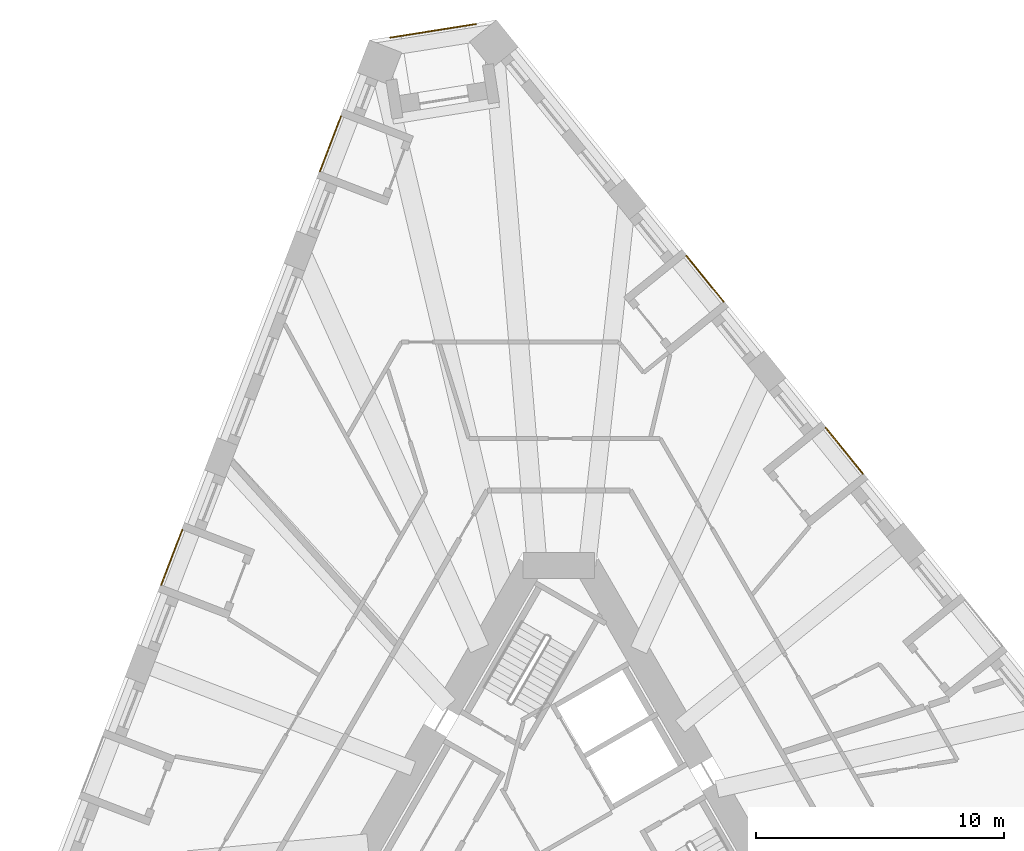
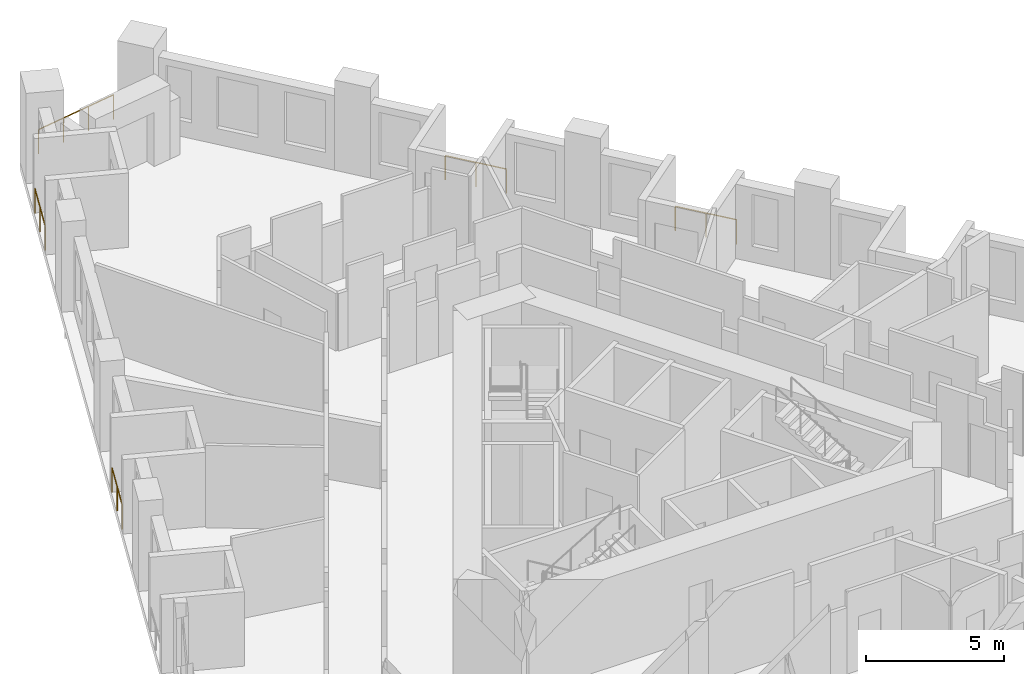
# One storey, part 14 of 14: 5 railings.
"""IFC4 building model written with IfcOpenShell, lengths in metres."""

import ifcopenshell
import ifcopenshell.guid

model = None  # the IFC model being written
_history = None  # IfcOwnerHistory: only IFC2X3 demands one
_inside = {}  # id of a spatial element -> (the spatial element, [elements in it])
_under = {}  # id of a project, library or spatial element -> (it, [spatial elements below it])
_declared = {}  # id of a project -> (the project, [libraries it declares])
_typed = {}  # id of a type object -> (the type object, [elements of that type])
_made_of = {}  # id of a material, layer set ... -> (it, [elements and type objects made of it])


def new_model(schema):
    """Start an empty IFC model of exactly this schema.

    Asked for "IFC4X3", IfcOpenShell would pick the latest addendum, in which some entities
    have other attributes; the version numbers below select the first issue.
    IFC2X3 requires an IfcOwnerHistory on every rooted entity: one is made here for all.
    """
    global model, _history
    if schema == "IFC4X3":
        model = ifcopenshell.file(schema_version=(4, 3, 0, 0))
    else:
        model = ifcopenshell.file(schema=schema)
    _inside.clear()
    _under.clear()
    _declared.clear()
    _typed.clear()
    _made_of.clear()
    _history = None
    if model.schema == "IFC2X3":
        org = make("IfcOrganization", Name="unknown")
        user = make(
            "IfcPersonAndOrganization",
            ThePerson=make("IfcPerson", FamilyName="unknown"),
            TheOrganization=org,
        )
        app = make(
            "IfcApplication",
            ApplicationDeveloper=org,
            Version="unknown",
            ApplicationFullName="unknown",
            ApplicationIdentifier="unknown",
        )
        _history = make(
            "IfcOwnerHistory",
            OwningUser=user,
            OwningApplication=app,
            ChangeAction="ADDED",
            CreationDate=0,
        )
    return model


def make(cls, **values):
    """One entity of the class cls with the attributes given. An attribute that is None is left unset."""
    return model.create_entity(
        cls, **{name: value for name, value in values.items() if value is not None}
    )


def rooted(cls, **values):
    """An entity with a GlobalId (a new one), such as an element, a storey or a relation."""
    return make(cls, GlobalId=ifcopenshell.guid.new(), OwnerHistory=_history, **values)


def si_unit(unit_type, name, prefix=None):
    """IfcSIUnit, for example si_unit("LENGTHUNIT", "METRE", prefix="MILLI")."""
    return make("IfcSIUnit", UnitType=unit_type, Prefix=prefix, Name=name)


def assignment(units):
    """IfcUnitAssignment: the units of a project."""
    return None if units is None else make("IfcUnitAssignment", Units=units)


def point(xyz):
    """IfcCartesianPoint."""
    return None if xyz is None else make("IfcCartesianPoint", Coordinates=xyz)


def direction(xyz):
    """IfcDirection."""
    return None if xyz is None else make("IfcDirection", DirectionRatios=xyz)


def frame(location, z_axis=None, x_axis=None):
    """IfcAxis2Placement3D, a coordinate frame: its origin and axes. An axis left out is left unset."""
    return make(
        "IfcAxis2Placement3D",
        Location=point(location),
        Axis=direction(z_axis),
        RefDirection=direction(x_axis),
    )


def frame_2d(location, x_axis=None):
    """IfcAxis2Placement2D, a coordinate frame in the plane: its origin and x axis."""
    return make(
        "IfcAxis2Placement2D", Location=point(location), RefDirection=direction(x_axis)
    )


def origin():
    """The frame at (0, 0, 0) with its axes left unset."""
    return frame((0.0, 0.0, 0.0))


def origin_2d():
    """The frame at (0, 0) in the plane with its x axis left unset."""
    return frame_2d((0.0, 0.0))


def place(relative_to, where):
    """IfcLocalPlacement: puts the frame where relative to a parent placement (None: the world)."""
    return make(
        "IfcLocalPlacement", PlacementRelTo=relative_to, RelativePlacement=where
    )


def context(
    kind, dimensions, precision=None, world=None, true_north=None, identifier=None
):
    """IfcGeometricRepresentationContext, for example the 3D "Model" context."""
    return make(
        "IfcGeometricRepresentationContext",
        ContextIdentifier=identifier,
        ContextType=kind,
        CoordinateSpaceDimension=dimensions,
        Precision=precision,
        WorldCoordinateSystem=world,
        TrueNorth=true_north,
    )


def subcontext(parent, identifier, kind, view, scale=None):
    """IfcGeometricRepresentationSubContext, for example "Body" below "Model"."""
    return make(
        "IfcGeometricRepresentationSubContext",
        ContextIdentifier=identifier,
        ContextType=kind,
        ParentContext=parent,
        TargetScale=scale,
        TargetView=view,
    )


def project(units=None, contexts=None):
    """IfcProject with its units and contexts."""
    return rooted(
        "IfcProject",
        Name="project",
        RepresentationContexts=contexts,
        UnitsInContext=assignment(units),
    )


def spatial(cls, under=None, at=None, **own):
    """A site, building, storey or space (cls), placed at a placement, below another one or the project."""
    s = rooted(cls, ObjectPlacement=at, **own)
    if under is not None:
        _under.setdefault(under.id(), (under, []))[1].append(s)
    return s


def profile(cls, at=None, kind="AREA", **sizes):
    """A parametric profile (cls). Its sizes go by their IFC names, for example OverallWidth=200.0."""
    return make(cls, ProfileType=kind, Position=at, **sizes)


def circle(**sizes):
    """IfcCircleProfileDef."""
    return profile("IfcCircleProfileDef", **sizes)


def extrude(swept, where, along, depth):
    """IfcExtrudedAreaSolid: the profile swept, set in the frame where, extruded along a direction by depth."""
    return make(
        "IfcExtrudedAreaSolid",
        SweptArea=swept,
        Position=where,
        ExtrudedDirection=direction(along),
        Depth=depth,
    )


def shape(context_of_items, identifier, shape_type, items):
    """IfcShapeRepresentation: the items that make up one representation, for example the "Body"."""
    return make(
        "IfcShapeRepresentation",
        ContextOfItems=context_of_items,
        RepresentationIdentifier=identifier,
        RepresentationType=shape_type,
        Items=items,
    )


def material(Name=None, Category=None):
    """IfcMaterial."""
    return make("IfcMaterial", Name=Name, Category=Category)


def made_of(thing, what):
    """Note that an element or type object is made of a material, layer set ...; save() writes the relation."""
    if what is not None:
        _made_of.setdefault(what.id(), (what, []))[1].append(thing)
    return thing


def type_object(cls, material=None, **own):
    """A type object (cls), such as IfcWallType, which elements share."""
    return made_of(rooted(cls, **own), material)


def element(
    cls,
    number,
    at=None,
    inside=None,
    cuts=None,
    type_object=None,
    material=None,
    context=None,
    identifier="Body",
    shape_type=None,
    held_by="IfcProductDefinitionShape",
    body=None,
    shapes=None,
    **own,
):
    """One element of the class cls, such as IfcWall. Its Tag is "e" and its number.

    at: its placement. inside: the storey or other place that contains it. cuts: it is an
    opening in that element (IfcRelVoidsElement). A single representation is given by context,
    identifier, shape_type and body (its items); several are given by shapes. held_by: the class
    of the entity that holds the representations. save() writes the other relations.
    """
    e = rooted(cls, Tag="e%d" % number, ObjectPlacement=at, **own)
    if body is not None:
        shapes = [shape(context, identifier, shape_type, body)]
    if shapes is not None:
        e.Representation = make(held_by, Representations=shapes)
    if inside is not None:
        _inside.setdefault(inside.id(), (inside, []))[1].append(e)
    if cuts is not None:
        rooted(
            "IfcRelVoidsElement", RelatingBuildingElement=cuts, RelatedOpeningElement=e
        )
    if type_object is not None:
        _typed.setdefault(type_object.id(), (type_object, []))[1].append(e)
    return made_of(e, material)


def aggregate(whole, parts):
    """IfcRelAggregates: a whole, such as a stair, and the parts it consists of."""
    return rooted("IfcRelAggregates", RelatingObject=whole, RelatedObjects=parts)


def save(model, path):
    """Write the relations noted so far, then the file.

    IfcRelAggregates (storeys below a building ...), IfcRelContainedInSpatialStructure (elements
    in a storey), IfcRelDefinesByType, IfcRelAssociatesMaterial and IfcRelDeclares: one each for
    every whole, place, type object, material and project.
    """
    for whole, parts in _under.values():
        aggregate(whole, parts)
    for where, things in _inside.values():
        rooted(
            "IfcRelContainedInSpatialStructure",
            RelatedElements=things,
            RelatingStructure=where,
        )
    for kind, things in _typed.values():
        rooted("IfcRelDefinesByType", RelatedObjects=things, RelatingType=kind)
    for what, things in _made_of.values():
        rooted("IfcRelAssociatesMaterial", RelatedObjects=things, RelatingMaterial=what)
    for by, libraries in _declared.values():
        rooted("IfcRelDeclares", RelatingContext=by, RelatedDefinitions=libraries)
    model.write(path)


model = new_model("IFC4")

# Units and contexts
model_context = context("Model", 3, precision=1e-05, world=origin(), true_north=direction((0.0, 1.0)))
body_context = subcontext(model_context, "Body", "Model", "MODEL_VIEW")
ifc_project = project(units=[si_unit("LENGTHUNIT", "METRE"), si_unit("AREAUNIT", "SQUARE_METRE"), si_unit("VOLUMEUNIT", "CUBIC_METRE"), si_unit("PLANEANGLEUNIT", "RADIAN"), si_unit("MASSUNIT", "GRAM", prefix="KILO")], contexts=[model_context])

# Site, building, storey
site_placement = place(None, origin())
site = spatial("IfcSite", under=ifc_project, at=site_placement, CompositionType="ELEMENT")
building_placement = place(site_placement, origin())
building = spatial("IfcBuilding", under=site, at=building_placement, Name="Tramontana Tower", CompositionType="ELEMENT")
storey_placement = place(building_placement, frame((0.0, 0.0, 79.199951171875)))
storey = spatial("IfcBuildingStorey", under=building, at=storey_placement, Name="L17", CompositionType="ELEMENT", Elevation=79.199951171875)

# Railings
ifc_material = material(Name="Laminated glass balustrade", Category="glass")
railing_type = type_object("IfcRailingType", Name="GD1 Loggia glass balustrade 1100", PredefinedType="BALUSTRADE", material=ifc_material)
railing_1_placement = place(storey_placement, frame((-8.798828125, 28.61767578125, 0.0)))
element("IfcRailing", 1, at=railing_1_placement, inside=storey, type_object=railing_type, Name="Loggia balustrade L17 G1S0.1", PredefinedType="BALUSTRADE", context=body_context, shape_type="SweptSolid", body=[
    extrude(circle(Radius=0.02392578125, at=origin_2d()), frame((0.0, 0.0, 1.076171875), z_axis=(-0.35829926872, -0.933606787697, 0.0), x_axis=(0.933606787697, -0.35829926872, 0.0)), (0.0, 0.0, 1.0), 2.3828125),
    extrude(circle(Radius=0.02099609375, at=origin_2d()), origin(), (0.0, 0.0, 1.0), 1.052001953125),
    extrude(circle(Radius=0.02099609375, at=origin_2d()), frame((-0.4267578125, -1.1123046875, 0.0)), (0.0, 0.0, 1.0), 1.052001953125),
    extrude(circle(Radius=0.02099609375, at=origin_2d()), frame((-0.853759765625, -2.224609375, 0.0)), (0.0, 0.0, 1.0), 1.052001953125),
])
railing_2_placement = place(storey_placement, frame((-15.212646484375, 11.90869140625, 0.0)))
element("IfcRailing", 2, at=railing_2_placement, inside=storey, type_object=railing_type, Name="Loggia balustrade L17 G1S0.7", PredefinedType="BALUSTRADE", context=body_context, shape_type="SweptSolid", body=[
    extrude(circle(Radius=0.02392578125, at=origin_2d()), frame((0.0, 0.0, 1.076171875), z_axis=(-0.35838856932, -0.933572511046, 0.0), x_axis=(0.933572511046, -0.35838856932, 0.0)), (0.0, 0.0, 1.0), 2.3828125),
    extrude(circle(Radius=0.02099609375, at=origin_2d()), origin(), (0.0, 0.0, 1.0), 1.052001953125),
    extrude(circle(Radius=0.02099609375, at=origin_2d()), frame((-0.427001953125, -1.1123046875, 0.0)), (0.0, 0.0, 1.0), 1.052001953125),
    extrude(circle(Radius=0.02099609375, at=origin_2d()), frame((-0.85400390625, -2.224609375, 0.0)), (0.0, 0.0, 1.0), 1.052001953125),
])
railing_3_placement = place(storey_placement, frame((12.287841796875, 14.1748046875, 0.0)))
element("IfcRailing", 3, at=railing_3_placement, inside=storey, type_object=railing_type, Name="Loggia balustrade L17 G1S2.10", PredefinedType="BALUSTRADE", context=body_context, shape_type="SweptSolid", body=[
    extrude(circle(Radius=0.02392578125, at=origin_2d()), frame((0.0, 0.0, 1.076171875), z_axis=(-0.629319049918, 0.777147047482, 0.0), x_axis=(-0.777147047482, -0.629319049918, 0.0)), (0.0, 0.0, 1.0), 2.383056640625),
    extrude(circle(Radius=0.02099609375, at=origin_2d()), origin(), (0.0, 0.0, 1.0), 1.052001953125),
    extrude(circle(Radius=0.02099609375, at=origin_2d()), frame((-0.75, 0.926025390625, 0.0)), (0.0, 0.0, 1.0), 1.052001953125),
    extrude(circle(Radius=0.02099609375, at=origin_2d()), frame((-1.499755859375, 1.85205078125, 0.0)), (0.0, 0.0, 1.0), 1.052001953125),
])
railing_4_placement = place(storey_placement, frame((6.656005859375, 21.129638671875, 0.0)))
element("IfcRailing", 4, at=railing_4_placement, inside=storey, type_object=railing_type, Name="Loggia balustrade L17 G1S2.13", PredefinedType="BALUSTRADE", context=body_context, shape_type="SweptSolid", body=[
    extrude(circle(Radius=0.02392578125, at=origin_2d()), frame((0.0, 0.0, 1.076171875), z_axis=(-0.62930727886, 0.777156579316, 0.0), x_axis=(-0.777156579316, -0.62930727886, 0.0)), (0.0, 0.0, 1.0), 2.3828125),
    extrude(circle(Radius=0.02099609375, at=origin_2d()), origin(), (0.0, 0.0, 1.0), 1.052001953125),
    extrude(circle(Radius=0.02099609375, at=origin_2d()), frame((-0.749755859375, 0.92578125, 0.0)), (0.0, 0.0, 1.0), 1.052001953125),
    extrude(circle(Radius=0.02099609375, at=origin_2d()), frame((-1.49951171875, 1.851806640625, 0.0)), (0.0, 0.0, 1.0), 1.052001953125),
])
railing_5_placement = place(storey_placement, frame((-6.807861328125, 31.79638671875, 0.0)))
element("IfcRailing", 5, at=railing_5_placement, inside=storey, type_object=railing_type, Name="Corner loggia balustrade L17 K10", PredefinedType="BALUSTRADE", context=body_context, shape_type="SweptSolid", body=[
    extrude(circle(Radius=0.02392578125, at=origin_2d()), frame((0.0, 0.0, 1.076171875), z_axis=(0.987683654859, 0.156464046744, 0.0), x_axis=(-0.156464046744, 0.987683654859, 0.0)), (0.0, 0.0, 1.0), 3.5),
    extrude(circle(Radius=0.02099609375, at=origin_2d()), origin(), (0.0, 0.0, 1.0), 1.052001953125),
    extrude(circle(Radius=0.02099609375, at=origin_2d()), frame((1.15234375, 0.1826171875, 0.0)), (0.0, 0.0, 1.0), 1.052001953125),
    extrude(circle(Radius=0.02099609375, at=origin_2d()), frame((2.304443359375, 0.364990234375, 0.0)), (0.0, 0.0, 1.0), 1.052001953125),
    extrude(circle(Radius=0.02099609375, at=origin_2d()), frame((3.456787109375, 0.547607421875, 0.0)), (0.0, 0.0, 1.0), 1.052001953125),
])

save(model, "model.ifc")
